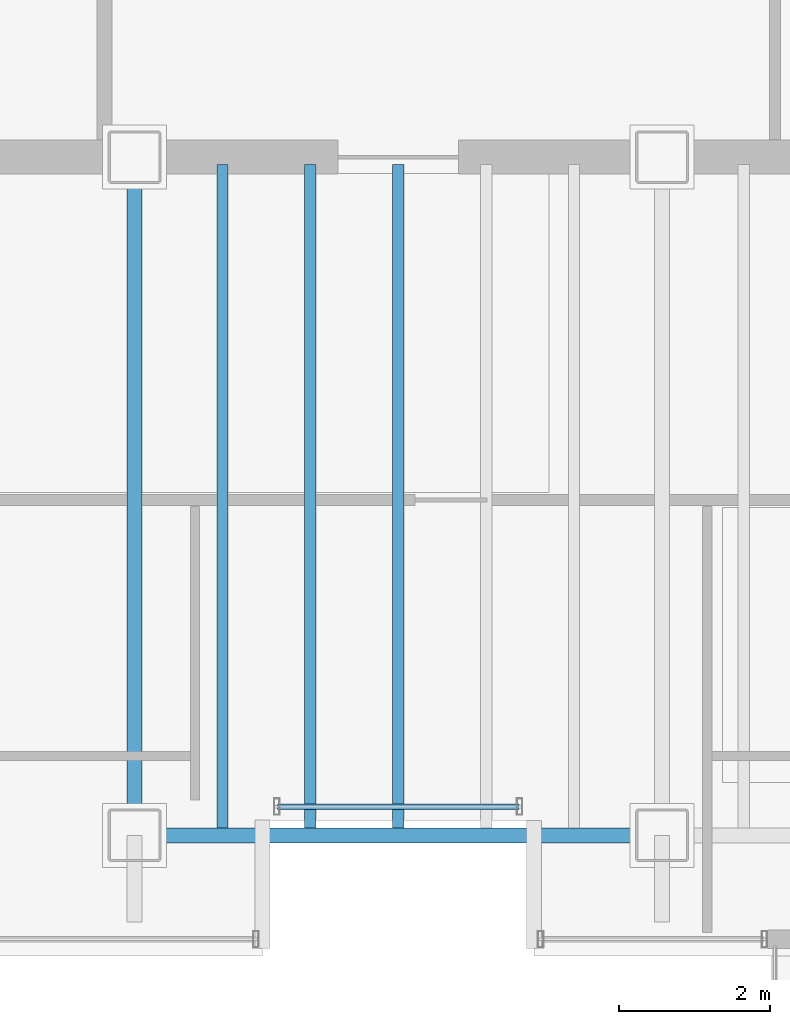
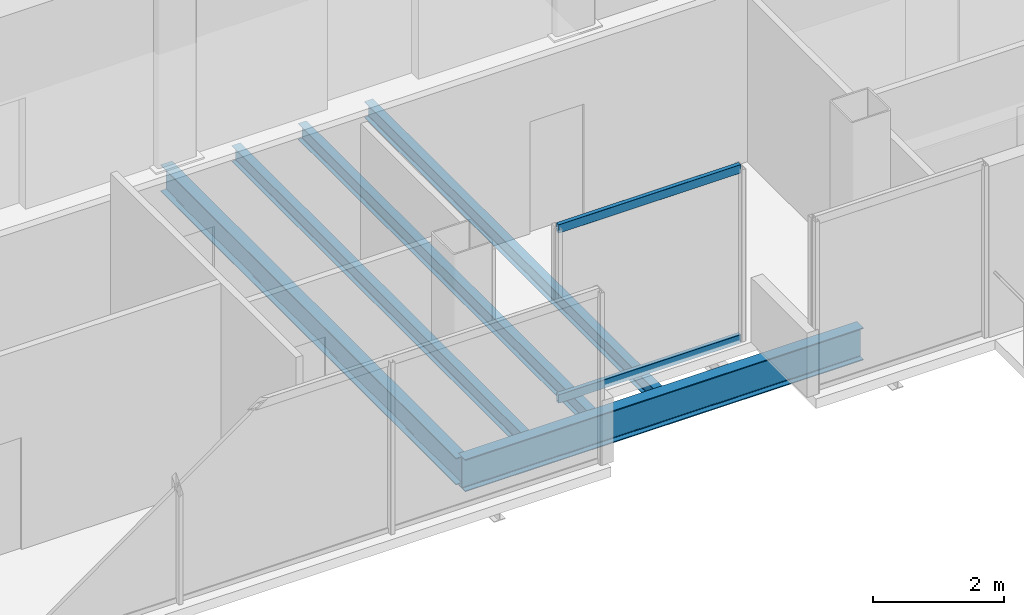
# One storey, part 3 of 17: 5 beams, 2 members, 1 element without a shape of its own.
"""IFC4 building model written with IfcOpenShell, lengths in metres."""

import ifcopenshell
import ifcopenshell.guid

model = None  # the IFC model being written
_history = None  # IfcOwnerHistory: only IFC2X3 demands one
_inside = {}  # id of a spatial element -> (the spatial element, [elements in it])
_under = {}  # id of a project, library or spatial element -> (it, [spatial elements below it])
_declared = {}  # id of a project -> (the project, [libraries it declares])
_typed = {}  # id of a type object -> (the type object, [elements of that type])
_made_of = {}  # id of a material, layer set ... -> (it, [elements and type objects made of it])


def new_model(schema):
    """Start an empty IFC model of exactly this schema.

    Asked for "IFC4X3", IfcOpenShell would pick the latest addendum, in which some entities
    have other attributes; the version numbers below select the first issue.
    IFC2X3 requires an IfcOwnerHistory on every rooted entity: one is made here for all.
    """
    global model, _history
    if schema == "IFC4X3":
        model = ifcopenshell.file(schema_version=(4, 3, 0, 0))
    else:
        model = ifcopenshell.file(schema=schema)
    _inside.clear()
    _under.clear()
    _declared.clear()
    _typed.clear()
    _made_of.clear()
    _history = None
    if model.schema == "IFC2X3":
        org = make("IfcOrganization", Name="unknown")
        user = make(
            "IfcPersonAndOrganization",
            ThePerson=make("IfcPerson", FamilyName="unknown"),
            TheOrganization=org,
        )
        app = make(
            "IfcApplication",
            ApplicationDeveloper=org,
            Version="unknown",
            ApplicationFullName="unknown",
            ApplicationIdentifier="unknown",
        )
        _history = make(
            "IfcOwnerHistory",
            OwningUser=user,
            OwningApplication=app,
            ChangeAction="ADDED",
            CreationDate=0,
        )
    return model


def make(cls, **values):
    """One entity of the class cls with the attributes given. An attribute that is None is left unset."""
    return model.create_entity(
        cls, **{name: value for name, value in values.items() if value is not None}
    )


def rooted(cls, **values):
    """An entity with a GlobalId (a new one), such as an element, a storey or a relation."""
    return make(cls, GlobalId=ifcopenshell.guid.new(), OwnerHistory=_history, **values)


def si_unit(unit_type, name, prefix=None):
    """IfcSIUnit, for example si_unit("LENGTHUNIT", "METRE", prefix="MILLI")."""
    return make("IfcSIUnit", UnitType=unit_type, Prefix=prefix, Name=name)


def assignment(units):
    """IfcUnitAssignment: the units of a project."""
    return None if units is None else make("IfcUnitAssignment", Units=units)


def point(xyz):
    """IfcCartesianPoint."""
    return None if xyz is None else make("IfcCartesianPoint", Coordinates=xyz)


def direction(xyz):
    """IfcDirection."""
    return None if xyz is None else make("IfcDirection", DirectionRatios=xyz)


def frame(location, z_axis=None, x_axis=None):
    """IfcAxis2Placement3D, a coordinate frame: its origin and axes. An axis left out is left unset."""
    return make(
        "IfcAxis2Placement3D",
        Location=point(location),
        Axis=direction(z_axis),
        RefDirection=direction(x_axis),
    )


def frame_2d(location, x_axis=None):
    """IfcAxis2Placement2D, a coordinate frame in the plane: its origin and x axis."""
    return make(
        "IfcAxis2Placement2D", Location=point(location), RefDirection=direction(x_axis)
    )


def origin():
    """The frame at (0, 0, 0) with its axes left unset."""
    return frame((0.0, 0.0, 0.0))


def origin_2d():
    """The frame at (0, 0) in the plane with its x axis left unset."""
    return frame_2d((0.0, 0.0))


def place(relative_to, where):
    """IfcLocalPlacement: puts the frame where relative to a parent placement (None: the world)."""
    return make(
        "IfcLocalPlacement", PlacementRelTo=relative_to, RelativePlacement=where
    )


def context(
    kind, dimensions, precision=None, world=None, true_north=None, identifier=None
):
    """IfcGeometricRepresentationContext, for example the 3D "Model" context."""
    return make(
        "IfcGeometricRepresentationContext",
        ContextIdentifier=identifier,
        ContextType=kind,
        CoordinateSpaceDimension=dimensions,
        Precision=precision,
        WorldCoordinateSystem=world,
        TrueNorth=true_north,
    )


def subcontext(parent, identifier, kind, view, scale=None):
    """IfcGeometricRepresentationSubContext, for example "Body" below "Model"."""
    return make(
        "IfcGeometricRepresentationSubContext",
        ContextIdentifier=identifier,
        ContextType=kind,
        ParentContext=parent,
        TargetScale=scale,
        TargetView=view,
    )


def project(units=None, contexts=None):
    """IfcProject with its units and contexts."""
    return rooted(
        "IfcProject",
        Name="project",
        RepresentationContexts=contexts,
        UnitsInContext=assignment(units),
    )


def spatial(cls, under=None, at=None, **own):
    """A site, building, storey or space (cls), placed at a placement, below another one or the project."""
    s = rooted(cls, ObjectPlacement=at, **own)
    if under is not None:
        _under.setdefault(under.id(), (under, []))[1].append(s)
    return s


def profile(cls, at=None, kind="AREA", **sizes):
    """A parametric profile (cls). Its sizes go by their IFC names, for example OverallWidth=200.0."""
    return make(cls, ProfileType=kind, Position=at, **sizes)


def hollow_rectangle(**sizes):
    """IfcRectangleHollowProfileDef."""
    return profile("IfcRectangleHollowProfileDef", **sizes)


def i_section(**sizes):
    """IfcIShapeProfileDef."""
    return profile("IfcIShapeProfileDef", **sizes)


def extrude(swept, where, along, depth):
    """IfcExtrudedAreaSolid: the profile swept, set in the frame where, extruded along a direction by depth."""
    return make(
        "IfcExtrudedAreaSolid",
        SweptArea=swept,
        Position=where,
        ExtrudedDirection=direction(along),
        Depth=depth,
    )


def shape(context_of_items, identifier, shape_type, items):
    """IfcShapeRepresentation: the items that make up one representation, for example the "Body"."""
    return make(
        "IfcShapeRepresentation",
        ContextOfItems=context_of_items,
        RepresentationIdentifier=identifier,
        RepresentationType=shape_type,
        Items=items,
    )


def material(Name=None, Category=None):
    """IfcMaterial."""
    return make("IfcMaterial", Name=Name, Category=Category)


def material_profile(
    of_material, cross_section, Name=None, Category=None, Priority=None
):
    """IfcMaterialProfile: a cross section and its material."""
    return make(
        "IfcMaterialProfile",
        Name=Name,
        Material=of_material,
        Profile=cross_section,
        Priority=Priority,
        Category=Category,
    )


def profile_set(profiles, Name=None, composite=None):
    """IfcMaterialProfileSet."""
    return make(
        "IfcMaterialProfileSet",
        Name=Name,
        MaterialProfiles=profiles,
        CompositeProfile=composite,
    )


def made_of(thing, what):
    """Note that an element or type object is made of a material, layer set ...; save() writes the relation."""
    if what is not None:
        _made_of.setdefault(what.id(), (what, []))[1].append(thing)
    return thing


def type_object(cls, material=None, **own):
    """A type object (cls), such as IfcWallType, which elements share."""
    return made_of(rooted(cls, **own), material)


def element(
    cls,
    number,
    at=None,
    inside=None,
    cuts=None,
    type_object=None,
    material=None,
    context=None,
    identifier="Body",
    shape_type=None,
    held_by="IfcProductDefinitionShape",
    body=None,
    shapes=None,
    **own,
):
    """One element of the class cls, such as IfcWall. Its Tag is "e" and its number.

    at: its placement. inside: the storey or other place that contains it. cuts: it is an
    opening in that element (IfcRelVoidsElement). A single representation is given by context,
    identifier, shape_type and body (its items); several are given by shapes. held_by: the class
    of the entity that holds the representations. save() writes the other relations.
    """
    e = rooted(cls, Tag="e%d" % number, ObjectPlacement=at, **own)
    if body is not None:
        shapes = [shape(context, identifier, shape_type, body)]
    if shapes is not None:
        e.Representation = make(held_by, Representations=shapes)
    if inside is not None:
        _inside.setdefault(inside.id(), (inside, []))[1].append(e)
    if cuts is not None:
        rooted(
            "IfcRelVoidsElement", RelatingBuildingElement=cuts, RelatedOpeningElement=e
        )
    if type_object is not None:
        _typed.setdefault(type_object.id(), (type_object, []))[1].append(e)
    return made_of(e, material)


def aggregate(whole, parts):
    """IfcRelAggregates: a whole, such as a stair, and the parts it consists of."""
    return rooted("IfcRelAggregates", RelatingObject=whole, RelatedObjects=parts)


def save(model, path):
    """Write the relations noted so far, then the file.

    IfcRelAggregates (storeys below a building ...), IfcRelContainedInSpatialStructure (elements
    in a storey), IfcRelDefinesByType, IfcRelAssociatesMaterial and IfcRelDeclares: one each for
    every whole, place, type object, material and project.
    """
    for whole, parts in _under.values():
        aggregate(whole, parts)
    for where, things in _inside.values():
        rooted(
            "IfcRelContainedInSpatialStructure",
            RelatedElements=things,
            RelatingStructure=where,
        )
    for kind, things in _typed.values():
        rooted("IfcRelDefinesByType", RelatedObjects=things, RelatingType=kind)
    for what, things in _made_of.values():
        rooted("IfcRelAssociatesMaterial", RelatedObjects=things, RelatingMaterial=what)
    for by, libraries in _declared.values():
        rooted("IfcRelDeclares", RelatingContext=by, RelatedDefinitions=libraries)
    model.write(path)


model = new_model("IFC4")

# Units and contexts
model_context = context("Model", 3, precision=1e-05, world=origin(), true_north=direction((0.0, 1.0)))
body_context = subcontext(model_context, "Body", "Model", "MODEL_VIEW")
ifc_project = project(units=[si_unit("LENGTHUNIT", "METRE"), si_unit("AREAUNIT", "SQUARE_METRE"), si_unit("VOLUMEUNIT", "CUBIC_METRE"), si_unit("PLANEANGLEUNIT", "RADIAN"), si_unit("MASSUNIT", "GRAM", prefix="KILO")], contexts=[model_context])

# Site, building, storey
site_placement = place(None, origin())
site = spatial("IfcSite", under=ifc_project, at=site_placement, CompositionType="ELEMENT")
building_placement = place(site_placement, origin())
building = spatial("IfcBuilding", under=site, at=building_placement, Name="Noeulbin Bourse Tower", CompositionType="ELEMENT")
storey_placement = place(building_placement, frame((0.0, 0.0, 289.10009765625)))
storey = spatial("IfcBuildingStorey", under=building, at=storey_placement, Name="L72", CompositionType="ELEMENT", Elevation=289.10009765625)

# Beams
ifc_material_1 = material(Name="Steel S355", Category="steel")
ifc_material_profile_1 = material_profile(ifc_material_1, i_section(OverallWidth=0.199951171875, OverallDepth=0.5, WebThickness=0.010009765625, FlangeThickness=0.01611328125, FilletRadius=0.02001953125, at=origin_2d()), Name="H-500x200x10x16", Category="LoadBearing")
ifc_profile_set_1 = profile_set([ifc_material_profile_1], Name="Steel S355")
beam_type_1 = type_object("IfcBeamType", Name="BM-GRD-500", PredefinedType="USERDEFINED", material=ifc_profile_set_1)
beam_1_placement = place(storey_placement, frame((24.0, 20.0, -0.43017578125), z_axis=(0.0, 1.0, 0.0), x_axis=(-1.0, 0.0, 0.0)))
element("IfcBeam", 1, at=beam_1_placement, inside=storey, type_object=beam_type_1, Name="Tower Primary Girder NS L72-2.2", ObjectType="GIRDER", PredefinedType="USERDEFINED", context=body_context, shape_type="SweptSolid", body=[
    extrude(i_section(OverallWidth=0.199951171875, OverallDepth=0.5, WebThickness=0.010009765625, FlangeThickness=0.01611328125, FilletRadius=0.02001953125, at=origin_2d()), origin(), (0.0, 0.0, 1.0), 9.0),
])
ifc_material_profile_2 = material_profile(ifc_material_1, i_section(OverallWidth=0.199951171875, OverallDepth=0.60009765625, WebThickness=0.010986328125, FlangeThickness=0.01708984375, FilletRadius=0.02197265625, at=origin_2d()), Name="H-600x200x11x17", Category="LoadBearing")
ifc_profile_set_2 = profile_set([ifc_material_profile_2], Name="Steel S355")
beam_type_2 = type_object("IfcBeamType", Name="BM-GRD-600", PredefinedType="USERDEFINED", material=ifc_profile_set_2)
beam_2_placement = place(storey_placement, frame((24.0, 20.0, -0.47998046875), z_axis=(1.0, 0.0, 0.0), x_axis=(0.0, 1.0, 0.0)))
element("IfcBeam", 2, at=beam_2_placement, inside=storey, type_object=beam_type_2, Name="Tower Primary Girder EW L72-1.1", ObjectType="GIRDER", PredefinedType="USERDEFINED", context=body_context, shape_type="SweptSolid", body=[
    extrude(i_section(OverallWidth=0.199951171875, OverallDepth=0.60009765625, WebThickness=0.010986328125, FlangeThickness=0.01708984375, FilletRadius=0.02197265625, at=origin_2d()), origin(), (0.0, 0.0, 1.0), 7.0),
])
ifc_material_profile_3 = material_profile(ifc_material_1, i_section(OverallWidth=0.14990234375, OverallDepth=0.300048828125, WebThickness=0.006591796875, FlangeThickness=0.009033203125, FilletRadius=0.012939453125, at=origin_2d()), Name="H-300x150x6.5x9", Category="LoadBearing")
ifc_profile_set_3 = profile_set([ifc_material_profile_3], Name="Steel S355")
beam_type_3 = type_object("IfcBeamType", Name="BM-JST-300", PredefinedType="JOIST", material=ifc_profile_set_3)
for number, where, z_axis, x_axis, name in (
    (3, (25.166748046875, 20.10009765625, -0.330078125), (0.0, 1.0, 0.0), (-1.0, 0.0, 0.0), "Tower Composite Joist L72-01"),
    (4, (26.333251953125, 20.10009765625, -0.330078125), (0.0, 1.0, 0.0), (-1.0, 0.0, 0.0), "Tower Composite Joist L72-03"),
    (5, (27.5, 20.10009765625, -0.330078125), (0.0, 1.0, 0.0), (-1.0, 0.0, 0.0), "Tower Composite Joist L72-05"),
):
    element("IfcBeam", number, at=place(storey_placement, frame(where, z_axis=z_axis, x_axis=x_axis)), inside=storey, type_object=beam_type_3, Name=name, PredefinedType="JOIST", context=body_context, shape_type="SweptSolid", body=[
        extrude(i_section(OverallWidth=0.14990234375, OverallDepth=0.300048828125, WebThickness=0.006591796875, FlangeThickness=0.009033203125, FilletRadius=0.012939453125, at=origin_2d()), origin(), (0.0, 0.0, 1.0), 8.7998046875),
    ])

# Curtain wall, members
ifc_material_2 = material(Name="High-Selectivity Low-Iron Glazing", Category="glass")
curtain_wall_type = type_object("IfcCurtainWallType", Name="CW-SYS-4", PredefinedType="NOTDEFINED", material=ifc_material_2)
curtain_wall_placement = place(storey_placement, origin())
curtain_wall = element("IfcCurtainWall", 6, at=curtain_wall_placement, inside=storey, type_object=curtain_wall_type, Name="Unitised Curtain Wall CW-L72-SREC", PredefinedType="NOTDEFINED")
ifc_material_3 = material(Name="Anodised Aluminium 6063-T6", Category="aluminium")
ifc_material_profile_4 = material_profile(ifc_material_3, hollow_rectangle(XDim=0.074951171875, YDim=0.159912109375, WallThickness=0.0048828125, InnerFilletRadius=0.00244140625, OuterFilletRadius=0.0048828125, at=origin_2d()), Name="ALU-TRAN-75x160x5", Category="LoadBearing")
ifc_profile_set_4 = profile_set([ifc_material_profile_4], Name="Anodised Aluminium 6063-T6")
member_type = type_object("IfcMemberType", Name="CW-SYS-4-TRN", PredefinedType="USERDEFINED", material=ifc_profile_set_4)
member_1_placement = place(storey_placement, frame((25.89990234375, 20.3798828125, 0.010009765625), z_axis=(1.0, 0.0, 0.0), x_axis=(0.0, 1.0, 0.0)))
member_1 = element("IfcMember", 7, at=member_1_placement, type_object=member_type, Name="Curtain Wall Transom CW-L72-SREC-T00", ObjectType="TRANSOM", PredefinedType="USERDEFINED", context=body_context, shape_type="SweptSolid", body=[
    extrude(hollow_rectangle(XDim=0.074951171875, YDim=0.159912109375, WallThickness=0.0048828125, InnerFilletRadius=0.00244140625, OuterFilletRadius=0.0048828125, at=origin_2d()), origin(), (0.0, 0.0, 1.0), 3.2001953125),
])
member_2_placement = place(storey_placement, frame((25.89990234375, 20.3798828125, 3.169921875), z_axis=(1.0, 0.0, 0.0), x_axis=(0.0, 1.0, 0.0)))
member_2 = element("IfcMember", 8, at=member_2_placement, type_object=member_type, Name="Curtain Wall Transom CW-L72-SREC-T01", ObjectType="TRANSOM", PredefinedType="USERDEFINED", context=body_context, shape_type="SweptSolid", body=[
    extrude(hollow_rectangle(XDim=0.074951171875, YDim=0.159912109375, WallThickness=0.0048828125, InnerFilletRadius=0.00244140625, OuterFilletRadius=0.0048828125, at=origin_2d()), origin(), (0.0, 0.0, 1.0), 3.2001953125),
])
aggregate(curtain_wall, [member_1, member_2])

save(model, "model.ifc")
